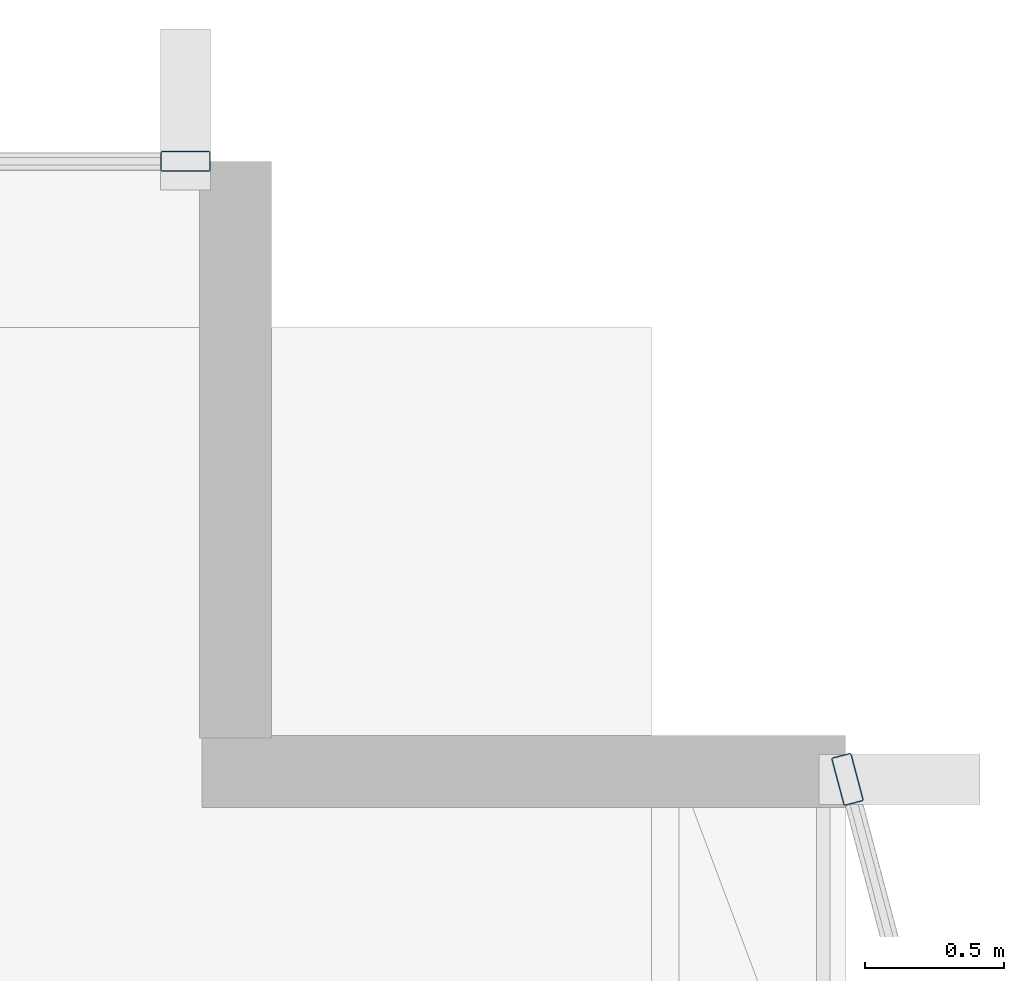
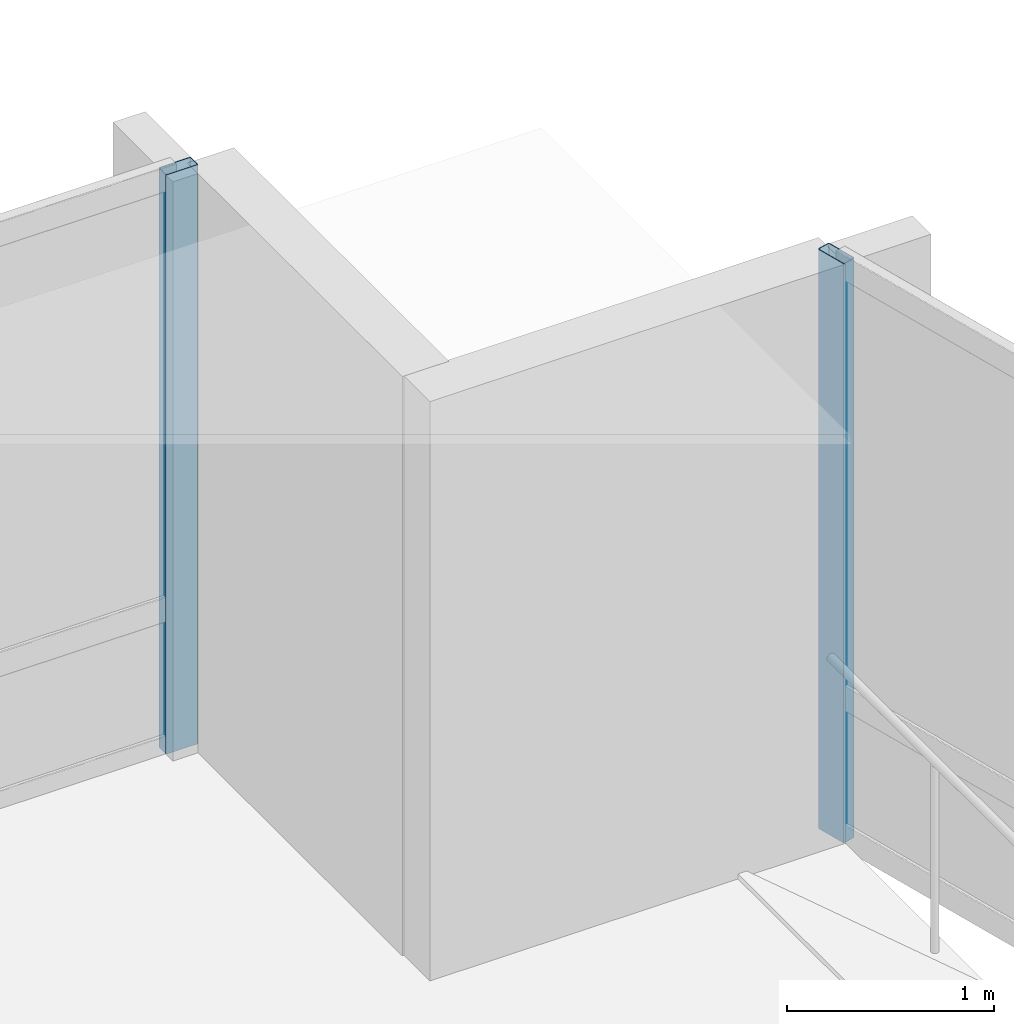
# One storey, part 14 of 27: 2 members, 2 elements without a shape of their own.
"""IFC4 building model written with IfcOpenShell, lengths in metres."""

from ifc_helpers import new_model, si_unit, direction, frame, origin, origin_2d, place, context, subcontext, project, spatial, hollow_rectangle, extrude, material, layer, layer_set, material_profile, profile_set, type_object, element, aggregate, save


model = new_model("IFC4")

# Units and contexts
model_context = context("Model", 3, precision=1e-05, world=origin(), true_north=direction((0.0, 1.0)))
body_context = subcontext(model_context, "Body", "Model", "MODEL_VIEW")
ifc_project = project(units=[si_unit("LENGTHUNIT", "METRE"), si_unit("AREAUNIT", "SQUARE_METRE"), si_unit("VOLUMEUNIT", "CUBIC_METRE"), si_unit("PLANEANGLEUNIT", "RADIAN"), si_unit("MASSUNIT", "GRAM", prefix="KILO")], contexts=[model_context])

# Site, building, storey
site_placement = place(None, origin())
site = spatial("IfcSite", under=ifc_project, at=site_placement, CompositionType="ELEMENT")
building_placement = place(site_placement, origin())
building = spatial("IfcBuilding", under=site, at=building_placement, Name="Solvaryn Broadcast Tower", CompositionType="ELEMENT")
storey_placement = place(building_placement, frame((0.0, 0.0, 224.699951171875)))
storey = spatial("IfcBuildingStorey", under=building, at=storey_placement, Name="L56", CompositionType="ELEMENT", Elevation=224.699951171875)

# Curtain wall, member
ifc_material_1 = material(Name="Aluminium and Terracotta Unitised Curtain Wall", Category="masonry")
ifc_layer = layer(ifc_material_1, 0.199951171875)
ifc_layer_set = layer_set([ifc_layer], Name="CW-SYS2-LOWMID")
curtain_wall_type = type_object("IfcCurtainWallType", Name="CW-SYS2-LOWMID", PredefinedType="NOTDEFINED", material=ifc_layer_set)
curtain_wall_1_placement = place(storey_placement, origin())
curtain_wall_1 = element("IfcCurtainWall", 1, at=curtain_wall_1_placement, inside=storey, type_object=curtain_wall_type, Name="L56 Curtain Wall ET1", PredefinedType="NOTDEFINED")
ifc_material_2 = material(Name="Anodised Aluminium 6063-T6", Category="aluminium")
ifc_material_profile = material_profile(ifc_material_2, hollow_rectangle(XDim=0.074951171875, YDim=0.179931640625, WallThickness=0.00390625, InnerFilletRadius=0.00390625, OuterFilletRadius=0.008056640625, at=origin_2d()))
ifc_profile_set = profile_set([ifc_material_profile], Name="Anodised Aluminium 6063-T6")
member_type = type_object("IfcMemberType", Name="CW-MUL-180", PredefinedType="MULLION", material=ifc_profile_set)
member_1_placement = place(storey_placement, frame((54.007568359375, 24.77099609375, 0.0), z_axis=(0.0, 0.0, 1.0), x_axis=(0.966705227863, 0.25589256031, 0.0)))
member_1 = element("IfcMember", 2, at=member_1_placement, type_object=member_type, Name="CWS2 mullion 1", PredefinedType="MULLION", context=body_context, shape_type="SweptSolid", body=[
    extrude(hollow_rectangle(XDim=0.074951171875, YDim=0.179931640625, WallThickness=0.00390625, InnerFilletRadius=0.00390625, OuterFilletRadius=0.008056640625, at=origin_2d()), origin(), (0.0, 0.0, 1.0), 3.420166015625),
])
aggregate(curtain_wall_1, [member_1])

curtain_wall_2_placement = place(storey_placement, origin())
curtain_wall_2 = element("IfcCurtainWall", 3, at=curtain_wall_2_placement, inside=storey, type_object=curtain_wall_type, Name="L56 Curtain Wall IH", PredefinedType="NOTDEFINED")
member_2_placement = place(storey_placement, frame((51.6201171875, 27.0, 0.0), z_axis=(0.0, 0.0, 1.0), x_axis=(0.0, 1.0, 0.0)))
member_2 = element("IfcMember", 4, at=member_2_placement, type_object=member_type, Name="CWS2 mullion 2", PredefinedType="MULLION", context=body_context, shape_type="SweptSolid", body=[
    extrude(hollow_rectangle(XDim=0.074951171875, YDim=0.179931640625, WallThickness=0.00390625, InnerFilletRadius=0.00390625, OuterFilletRadius=0.008056640625, at=origin_2d()), origin(), (0.0, 0.0, 1.0), 3.420166015625),
])
aggregate(curtain_wall_2, [member_2])

save(model, "model.ifc")
